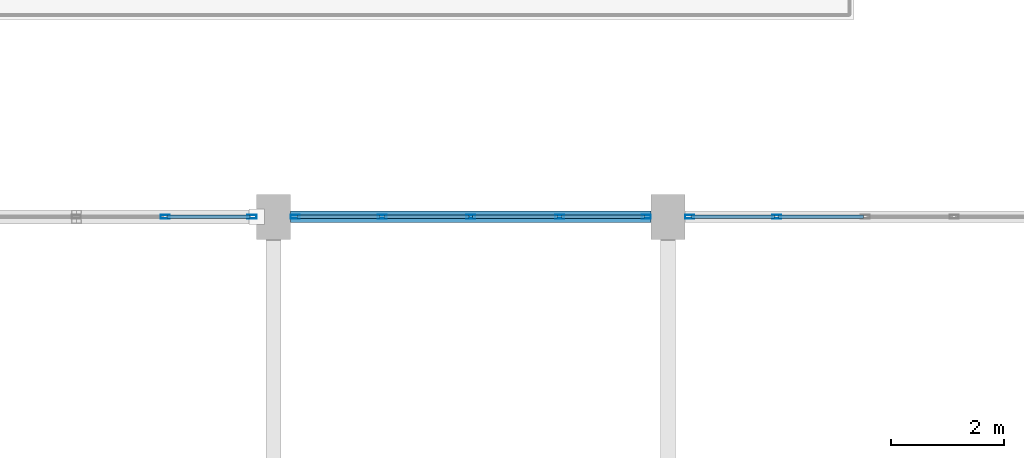
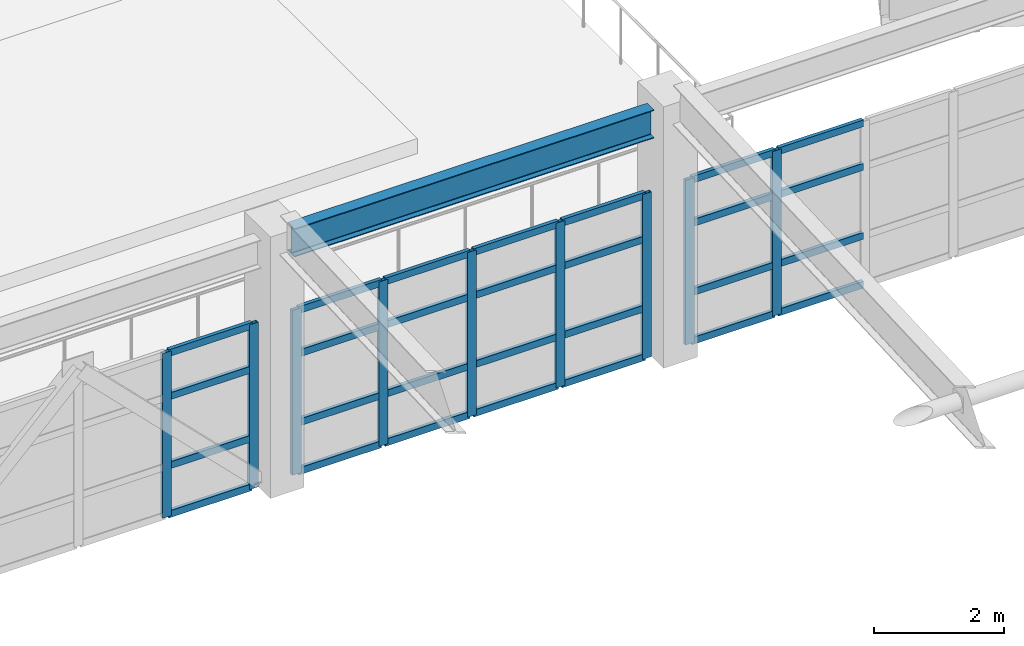
# One storey, part 16 of 150: 37 members, 1 beam, 3 elements without a shape of their own.
"""IFC4 building model written with IfcOpenShell, lengths in metres."""

from ifc_helpers import new_model, si_unit, direction, frame, origin, origin_2d, place, context, subcontext, project, spatial, hollow_rectangle, i_section, extrude, material, material_profile, profile_set, type_object, element, aggregate, save


model = new_model("IFC4")

# Units and contexts
model_context = context("Model", 3, precision=1e-05, world=origin(), true_north=direction((0.0, 1.0)))
body_context = subcontext(model_context, "Body", "Model", "MODEL_VIEW")
ifc_project = project(units=[si_unit("LENGTHUNIT", "METRE"), si_unit("AREAUNIT", "SQUARE_METRE"), si_unit("VOLUMEUNIT", "CUBIC_METRE"), si_unit("PLANEANGLEUNIT", "RADIAN"), si_unit("MASSUNIT", "GRAM", prefix="KILO")], contexts=[model_context])

# Site, building, storey
site_placement = place(None, origin())
site = spatial("IfcSite", under=ifc_project, at=site_placement, CompositionType="ELEMENT")
building_placement = place(site_placement, origin())
building = spatial("IfcBuilding", under=site, at=building_placement, Name="Kestramere Prow Commons", CompositionType="ELEMENT")
storey_placement = place(building_placement, frame((0.0, 0.0, 4.5)))
storey = spatial("IfcBuildingStorey", under=building, at=storey_placement, Name="L01", CompositionType="ELEMENT", Elevation=4.5)

# Beam
ifc_material_1 = material(Name="Steel S355JR", Category="steel")
ifc_material_profile_1 = material_profile(ifc_material_1, i_section(OverallWidth=0.209228515625, OverallDepth=0.533203125, WebThickness=0.010009765625, FlangeThickness=0.015625, FilletRadius=0.0126953125, at=origin_2d()), Name="UB 533x210x92")
ifc_profile_set_1 = profile_set([ifc_material_profile_1], Name="Steel S355JR")
beam_type = type_object("IfcBeamType", Name="BM-HL-GAL UB 533x210x92 (EX)", PredefinedType="BEAM", material=ifc_profile_set_1)
beam_placement = place(storey_placement, frame((37.5, 43.5, 4.418701171875), z_axis=(1.0, 0.0, 0.0), x_axis=(0.0, 1.0, 0.0)))
element("IfcBeam", 1, at=beam_placement, inside=storey, type_object=beam_type, Name="Hall Roof Eave Tie Girder 6N", PredefinedType="BEAM", context=body_context, shape_type="SweptSolid", body=[
    extrude(i_section(OverallWidth=0.209228515625, OverallDepth=0.533203125, WebThickness=0.010009765625, FlangeThickness=0.015625, FilletRadius=0.0126953125, at=origin_2d()), origin(), (0.0, 0.0, 1.0), 6.39990234375),
])

# Curtain wall, members
ifc_material_2 = material(Name="Anodised Aluminium and Low-E Glass", Category="aluminium")
curtain_wall_type = type_object("IfcCurtainWallType", Name="CW-12 Glazed Curtain Wall 6300x3100", PredefinedType="USERDEFINED", material=ifc_material_2)
curtain_wall_1_placement = place(storey_placement, origin())
curtain_wall_1 = element("IfcCurtainWall", 2, at=curtain_wall_1_placement, inside=storey, type_object=curtain_wall_type, Name="Hall North Clerestory Curtain Wall L01-5", ObjectType="GLAZED CURTAIN WALL", PredefinedType="USERDEFINED")
ifc_material_3 = material(Name="Anodised Aluminium 6063-T6", Category="aluminium")
ifc_material_profile_2 = material_profile(ifc_material_3, hollow_rectangle(XDim=0.06494140625, YDim=0.159912109375, WallThickness=0.00390625, at=origin_2d()), Name="ALU-MUL 65x160")
ifc_profile_set_2 = profile_set([ifc_material_profile_2], Name="Anodised Aluminium 6063-T6")
member_type_1 = type_object("IfcMemberType", Name="CW-MUL-65x160", PredefinedType="MULLION", material=ifc_profile_set_2)
member_1_placement = place(storey_placement, frame((35.27490234375, 43.5, 0.0), z_axis=(0.0, 0.0, 1.0), x_axis=(0.0, 1.0, 0.0)))
member_1 = element("IfcMember", 3, at=member_1_placement, type_object=member_type_1, Name="CW-12 mullion 4", PredefinedType="MULLION", context=body_context, shape_type="SweptSolid", body=[
    extrude(hollow_rectangle(XDim=0.06494140625, YDim=0.159912109375, WallThickness=0.00390625, at=origin_2d()), origin(), (0.0, 0.0, 1.0), 3.10009765625),
])
member_2_placement = place(storey_placement, frame((36.8173828125, 43.5, 0.0), z_axis=(0.0, 0.0, 1.0), x_axis=(0.0, 1.0, 0.0)))
member_2 = element("IfcMember", 4, at=member_2_placement, type_object=member_type_1, Name="CW-12 mullion 5", PredefinedType="MULLION", context=body_context, shape_type="SweptSolid", body=[
    extrude(hollow_rectangle(XDim=0.06494140625, YDim=0.159912109375, WallThickness=0.00390625, at=origin_2d()), origin(), (0.0, 0.0, 1.0), 3.10009765625),
])

curtain_wall_2_placement = place(storey_placement, origin())
curtain_wall_2 = element("IfcCurtainWall", 5, at=curtain_wall_2_placement, inside=storey, type_object=curtain_wall_type, Name="Hall North Clerestory Curtain Wall L01-6", ObjectType="GLAZED CURTAIN WALL", PredefinedType="USERDEFINED")
member_3_placement = place(storey_placement, frame((37.58251953125, 43.5, 0.0), z_axis=(0.0, 0.0, 1.0), x_axis=(0.0, 1.0, 0.0)))
member_3 = element("IfcMember", 6, at=member_3_placement, type_object=member_type_1, Name="CW-12 mullion 1", PredefinedType="MULLION", context=body_context, shape_type="SweptSolid", body=[
    extrude(hollow_rectangle(XDim=0.06494140625, YDim=0.159912109375, WallThickness=0.00390625, at=origin_2d()), origin(), (0.0, 0.0, 1.0), 3.10009765625),
])
member_4_placement = place(storey_placement, frame((39.125, 43.5, 0.0), z_axis=(0.0, 0.0, 1.0), x_axis=(0.0, 1.0, 0.0)))
member_4 = element("IfcMember", 7, at=member_4_placement, type_object=member_type_1, Name="CW-12 mullion 2", PredefinedType="MULLION", context=body_context, shape_type="SweptSolid", body=[
    extrude(hollow_rectangle(XDim=0.06494140625, YDim=0.159912109375, WallThickness=0.00390625, at=origin_2d()), origin(), (0.0, 0.0, 1.0), 3.10009765625),
])
member_5_placement = place(storey_placement, frame((40.699951171875, 43.5, 0.0), z_axis=(0.0, 0.0, 1.0), x_axis=(0.0, 1.0, 0.0)))
member_5 = element("IfcMember", 8, at=member_5_placement, type_object=member_type_1, Name="CW-12 mullion 3", PredefinedType="MULLION", context=body_context, shape_type="SweptSolid", body=[
    extrude(hollow_rectangle(XDim=0.06494140625, YDim=0.159912109375, WallThickness=0.00390625, at=origin_2d()), origin(), (0.0, 0.0, 1.0), 3.10009765625),
])
member_6_placement = place(storey_placement, frame((42.27490234375, 43.5, 0.0), z_axis=(0.0, 0.0, 1.0), x_axis=(0.0, 1.0, 0.0)))
member_6 = element("IfcMember", 9, at=member_6_placement, type_object=member_type_1, Name="CW-12 mullion 4", PredefinedType="MULLION", context=body_context, shape_type="SweptSolid", body=[
    extrude(hollow_rectangle(XDim=0.06494140625, YDim=0.159912109375, WallThickness=0.00390625, at=origin_2d()), origin(), (0.0, 0.0, 1.0), 3.10009765625),
])
member_7_placement = place(storey_placement, frame((43.8173828125, 43.5, 0.0), z_axis=(0.0, 0.0, 1.0), x_axis=(0.0, 1.0, 0.0)))
member_7 = element("IfcMember", 10, at=member_7_placement, type_object=member_type_1, Name="CW-12 mullion 5", PredefinedType="MULLION", context=body_context, shape_type="SweptSolid", body=[
    extrude(hollow_rectangle(XDim=0.06494140625, YDim=0.159912109375, WallThickness=0.00390625, at=origin_2d()), origin(), (0.0, 0.0, 1.0), 3.10009765625),
])

curtain_wall_3_placement = place(storey_placement, origin())
curtain_wall_3 = element("IfcCurtainWall", 11, at=curtain_wall_3_placement, inside=storey, type_object=curtain_wall_type, Name="Hall North Clerestory Curtain Wall L01-7", ObjectType="GLAZED CURTAIN WALL", PredefinedType="USERDEFINED")
member_8_placement = place(storey_placement, frame((44.58251953125, 43.5, 0.0), z_axis=(0.0, 0.0, 1.0), x_axis=(0.0, 1.0, 0.0)))
member_8 = element("IfcMember", 12, at=member_8_placement, type_object=member_type_1, Name="CW-12 mullion 1", PredefinedType="MULLION", context=body_context, shape_type="SweptSolid", body=[
    extrude(hollow_rectangle(XDim=0.06494140625, YDim=0.159912109375, WallThickness=0.00390625, at=origin_2d()), origin(), (0.0, 0.0, 1.0), 3.10009765625),
])
member_9_placement = place(storey_placement, frame((46.125, 43.5, 0.0), z_axis=(0.0, 0.0, 1.0), x_axis=(0.0, 1.0, 0.0)))
member_9 = element("IfcMember", 13, at=member_9_placement, type_object=member_type_1, Name="CW-12 mullion 2", PredefinedType="MULLION", context=body_context, shape_type="SweptSolid", body=[
    extrude(hollow_rectangle(XDim=0.06494140625, YDim=0.159912109375, WallThickness=0.00390625, at=origin_2d()), origin(), (0.0, 0.0, 1.0), 3.10009765625),
])

# Member
ifc_material_profile_3 = material_profile(ifc_material_3, hollow_rectangle(XDim=0.06494140625, YDim=0.1298828125, WallThickness=0.00390625, at=origin_2d()), Name="ALU-TRN 65x130")
ifc_profile_set_3 = profile_set([ifc_material_profile_3], Name="Anodised Aluminium 6063-T6")
member_type_2 = type_object("IfcMemberType", Name="CW-TRN-65x130", PredefinedType="USERDEFINED", material=ifc_profile_set_3)
member_10_placement = place(storey_placement, frame((35.3076171875, 43.5, 0.032470703125), z_axis=(1.0, 0.0, 0.0), x_axis=(0.0, 1.0, 0.0)))
member_10 = element("IfcMember", 14, at=member_10_placement, type_object=member_type_2, Name="CW-12 transom 4.1", ObjectType="TRANSOM", PredefinedType="USERDEFINED", context=body_context, shape_type="SweptSolid", body=[
    extrude(hollow_rectangle(XDim=0.06494140625, YDim=0.1298828125, WallThickness=0.00390625, at=origin_2d()), origin(), (0.0, 0.0, 1.0), 1.477294921875),
])

member_11_placement = place(storey_placement, frame((35.3076171875, 43.5, 0.949951171875), z_axis=(1.0, 0.0, 0.0), x_axis=(0.0, 1.0, 0.0)))
member_11 = element("IfcMember", 15, at=member_11_placement, type_object=member_type_2, Name="CW-12 transom 4.2", ObjectType="TRANSOM", PredefinedType="USERDEFINED", context=body_context, shape_type="SweptSolid", body=[
    extrude(hollow_rectangle(XDim=0.06494140625, YDim=0.1298828125, WallThickness=0.00390625, at=origin_2d()), origin(), (0.0, 0.0, 1.0), 1.477294921875),
])

member_12_placement = place(storey_placement, frame((35.3076171875, 43.5, 2.25), z_axis=(1.0, 0.0, 0.0), x_axis=(0.0, 1.0, 0.0)))
member_12 = element("IfcMember", 16, at=member_12_placement, type_object=member_type_2, Name="CW-12 transom 4.3", ObjectType="TRANSOM", PredefinedType="USERDEFINED", context=body_context, shape_type="SweptSolid", body=[
    extrude(hollow_rectangle(XDim=0.06494140625, YDim=0.1298828125, WallThickness=0.00390625, at=origin_2d()), origin(), (0.0, 0.0, 1.0), 1.477294921875),
])

member_13_placement = place(storey_placement, frame((35.3076171875, 43.5, 3.0673828125), z_axis=(1.0, 0.0, 0.0), x_axis=(0.0, 1.0, 0.0)))
member_13 = element("IfcMember", 17, at=member_13_placement, type_object=member_type_2, Name="CW-12 transom 4.4", ObjectType="TRANSOM", PredefinedType="USERDEFINED", context=body_context, shape_type="SweptSolid", body=[
    extrude(hollow_rectangle(XDim=0.06494140625, YDim=0.1298828125, WallThickness=0.00390625, at=origin_2d()), origin(), (0.0, 0.0, 1.0), 1.477294921875),
])

aggregate(curtain_wall_1, [member_1, member_2, member_10, member_11, member_12, member_13])

member_14_placement = place(storey_placement, frame((37.614990234375, 43.5, 0.032470703125), z_axis=(1.0, 0.0, 0.0), x_axis=(0.0, 1.0, 0.0)))
member_14 = element("IfcMember", 18, at=member_14_placement, type_object=member_type_2, Name="CW-12 transom 1.1", ObjectType="TRANSOM", PredefinedType="USERDEFINED", context=body_context, shape_type="SweptSolid", body=[
    extrude(hollow_rectangle(XDim=0.06494140625, YDim=0.1298828125, WallThickness=0.00390625, at=origin_2d()), origin(), (0.0, 0.0, 1.0), 1.4775390625),
])

member_15_placement = place(storey_placement, frame((37.614990234375, 43.5, 0.949951171875), z_axis=(1.0, 0.0, 0.0), x_axis=(0.0, 1.0, 0.0)))
member_15 = element("IfcMember", 19, at=member_15_placement, type_object=member_type_2, Name="CW-12 transom 1.2", ObjectType="TRANSOM", PredefinedType="USERDEFINED", context=body_context, shape_type="SweptSolid", body=[
    extrude(hollow_rectangle(XDim=0.06494140625, YDim=0.1298828125, WallThickness=0.00390625, at=origin_2d()), origin(), (0.0, 0.0, 1.0), 1.4775390625),
])

member_16_placement = place(storey_placement, frame((37.614990234375, 43.5, 2.25), z_axis=(1.0, 0.0, 0.0), x_axis=(0.0, 1.0, 0.0)))
member_16 = element("IfcMember", 20, at=member_16_placement, type_object=member_type_2, Name="CW-12 transom 1.3", ObjectType="TRANSOM", PredefinedType="USERDEFINED", context=body_context, shape_type="SweptSolid", body=[
    extrude(hollow_rectangle(XDim=0.06494140625, YDim=0.1298828125, WallThickness=0.00390625, at=origin_2d()), origin(), (0.0, 0.0, 1.0), 1.4775390625),
])

member_17_placement = place(storey_placement, frame((37.614990234375, 43.5, 3.0673828125), z_axis=(1.0, 0.0, 0.0), x_axis=(0.0, 1.0, 0.0)))
member_17 = element("IfcMember", 21, at=member_17_placement, type_object=member_type_2, Name="CW-12 transom 1.4", ObjectType="TRANSOM", PredefinedType="USERDEFINED", context=body_context, shape_type="SweptSolid", body=[
    extrude(hollow_rectangle(XDim=0.06494140625, YDim=0.1298828125, WallThickness=0.00390625, at=origin_2d()), origin(), (0.0, 0.0, 1.0), 1.4775390625),
])

member_18_placement = place(storey_placement, frame((39.157470703125, 43.5, 0.032470703125), z_axis=(1.0, 0.0, 0.0), x_axis=(0.0, 1.0, 0.0)))
member_18 = element("IfcMember", 22, at=member_18_placement, type_object=member_type_2, Name="CW-12 transom 2.1", ObjectType="TRANSOM", PredefinedType="USERDEFINED", context=body_context, shape_type="SweptSolid", body=[
    extrude(hollow_rectangle(XDim=0.06494140625, YDim=0.1298828125, WallThickness=0.00390625, at=origin_2d()), origin(), (0.0, 0.0, 1.0), 1.510009765625),
])

member_19_placement = place(storey_placement, frame((39.157470703125, 43.5, 0.949951171875), z_axis=(1.0, 0.0, 0.0), x_axis=(0.0, 1.0, 0.0)))
member_19 = element("IfcMember", 23, at=member_19_placement, type_object=member_type_2, Name="CW-12 transom 2.2", ObjectType="TRANSOM", PredefinedType="USERDEFINED", context=body_context, shape_type="SweptSolid", body=[
    extrude(hollow_rectangle(XDim=0.06494140625, YDim=0.1298828125, WallThickness=0.00390625, at=origin_2d()), origin(), (0.0, 0.0, 1.0), 1.510009765625),
])

member_20_placement = place(storey_placement, frame((39.157470703125, 43.5, 2.25), z_axis=(1.0, 0.0, 0.0), x_axis=(0.0, 1.0, 0.0)))
member_20 = element("IfcMember", 24, at=member_20_placement, type_object=member_type_2, Name="CW-12 transom 2.3", ObjectType="TRANSOM", PredefinedType="USERDEFINED", context=body_context, shape_type="SweptSolid", body=[
    extrude(hollow_rectangle(XDim=0.06494140625, YDim=0.1298828125, WallThickness=0.00390625, at=origin_2d()), origin(), (0.0, 0.0, 1.0), 1.510009765625),
])

member_21_placement = place(storey_placement, frame((39.157470703125, 43.5, 3.0673828125), z_axis=(1.0, 0.0, 0.0), x_axis=(0.0, 1.0, 0.0)))
member_21 = element("IfcMember", 25, at=member_21_placement, type_object=member_type_2, Name="CW-12 transom 2.4", ObjectType="TRANSOM", PredefinedType="USERDEFINED", context=body_context, shape_type="SweptSolid", body=[
    extrude(hollow_rectangle(XDim=0.06494140625, YDim=0.1298828125, WallThickness=0.00390625, at=origin_2d()), origin(), (0.0, 0.0, 1.0), 1.510009765625),
])

member_22_placement = place(storey_placement, frame((40.732421875, 43.5, 0.032470703125), z_axis=(1.0, 0.0, 0.0), x_axis=(0.0, 1.0, 0.0)))
member_22 = element("IfcMember", 26, at=member_22_placement, type_object=member_type_2, Name="CW-12 transom 3.1", ObjectType="TRANSOM", PredefinedType="USERDEFINED", context=body_context, shape_type="SweptSolid", body=[
    extrude(hollow_rectangle(XDim=0.06494140625, YDim=0.1298828125, WallThickness=0.00390625, at=origin_2d()), origin(), (0.0, 0.0, 1.0), 1.510009765625),
])

member_23_placement = place(storey_placement, frame((40.732421875, 43.5, 0.949951171875), z_axis=(1.0, 0.0, 0.0), x_axis=(0.0, 1.0, 0.0)))
member_23 = element("IfcMember", 27, at=member_23_placement, type_object=member_type_2, Name="CW-12 transom 3.2", ObjectType="TRANSOM", PredefinedType="USERDEFINED", context=body_context, shape_type="SweptSolid", body=[
    extrude(hollow_rectangle(XDim=0.06494140625, YDim=0.1298828125, WallThickness=0.00390625, at=origin_2d()), origin(), (0.0, 0.0, 1.0), 1.510009765625),
])

member_24_placement = place(storey_placement, frame((40.732421875, 43.5, 2.25), z_axis=(1.0, 0.0, 0.0), x_axis=(0.0, 1.0, 0.0)))
member_24 = element("IfcMember", 28, at=member_24_placement, type_object=member_type_2, Name="CW-12 transom 3.3", ObjectType="TRANSOM", PredefinedType="USERDEFINED", context=body_context, shape_type="SweptSolid", body=[
    extrude(hollow_rectangle(XDim=0.06494140625, YDim=0.1298828125, WallThickness=0.00390625, at=origin_2d()), origin(), (0.0, 0.0, 1.0), 1.510009765625),
])

member_25_placement = place(storey_placement, frame((40.732421875, 43.5, 3.0673828125), z_axis=(1.0, 0.0, 0.0), x_axis=(0.0, 1.0, 0.0)))
member_25 = element("IfcMember", 29, at=member_25_placement, type_object=member_type_2, Name="CW-12 transom 3.4", ObjectType="TRANSOM", PredefinedType="USERDEFINED", context=body_context, shape_type="SweptSolid", body=[
    extrude(hollow_rectangle(XDim=0.06494140625, YDim=0.1298828125, WallThickness=0.00390625, at=origin_2d()), origin(), (0.0, 0.0, 1.0), 1.510009765625),
])

member_26_placement = place(storey_placement, frame((42.3076171875, 43.5, 0.032470703125), z_axis=(1.0, 0.0, 0.0), x_axis=(0.0, 1.0, 0.0)))
member_26 = element("IfcMember", 30, at=member_26_placement, type_object=member_type_2, Name="CW-12 transom 4.1", ObjectType="TRANSOM", PredefinedType="USERDEFINED", context=body_context, shape_type="SweptSolid", body=[
    extrude(hollow_rectangle(XDim=0.06494140625, YDim=0.1298828125, WallThickness=0.00390625, at=origin_2d()), origin(), (0.0, 0.0, 1.0), 1.477294921875),
])

member_27_placement = place(storey_placement, frame((42.3076171875, 43.5, 0.949951171875), z_axis=(1.0, 0.0, 0.0), x_axis=(0.0, 1.0, 0.0)))
member_27 = element("IfcMember", 31, at=member_27_placement, type_object=member_type_2, Name="CW-12 transom 4.2", ObjectType="TRANSOM", PredefinedType="USERDEFINED", context=body_context, shape_type="SweptSolid", body=[
    extrude(hollow_rectangle(XDim=0.06494140625, YDim=0.1298828125, WallThickness=0.00390625, at=origin_2d()), origin(), (0.0, 0.0, 1.0), 1.477294921875),
])

member_28_placement = place(storey_placement, frame((42.3076171875, 43.5, 2.25), z_axis=(1.0, 0.0, 0.0), x_axis=(0.0, 1.0, 0.0)))
member_28 = element("IfcMember", 32, at=member_28_placement, type_object=member_type_2, Name="CW-12 transom 4.3", ObjectType="TRANSOM", PredefinedType="USERDEFINED", context=body_context, shape_type="SweptSolid", body=[
    extrude(hollow_rectangle(XDim=0.06494140625, YDim=0.1298828125, WallThickness=0.00390625, at=origin_2d()), origin(), (0.0, 0.0, 1.0), 1.477294921875),
])

member_29_placement = place(storey_placement, frame((42.3076171875, 43.5, 3.0673828125), z_axis=(1.0, 0.0, 0.0), x_axis=(0.0, 1.0, 0.0)))
member_29 = element("IfcMember", 33, at=member_29_placement, type_object=member_type_2, Name="CW-12 transom 4.4", ObjectType="TRANSOM", PredefinedType="USERDEFINED", context=body_context, shape_type="SweptSolid", body=[
    extrude(hollow_rectangle(XDim=0.06494140625, YDim=0.1298828125, WallThickness=0.00390625, at=origin_2d()), origin(), (0.0, 0.0, 1.0), 1.477294921875),
])

aggregate(curtain_wall_2, [member_3, member_4, member_5, member_6, member_7, member_14, member_15, member_16, member_17, member_18, member_19, member_20, member_21, member_22, member_23, member_24, member_25, member_26, member_27, member_28, member_29])

member_30_placement = place(storey_placement, frame((44.614990234375, 43.5, 0.032470703125), z_axis=(1.0, 0.0, 0.0), x_axis=(0.0, 1.0, 0.0)))
member_30 = element("IfcMember", 34, at=member_30_placement, type_object=member_type_2, Name="CW-12 transom 1.1", ObjectType="TRANSOM", PredefinedType="USERDEFINED", context=body_context, shape_type="SweptSolid", body=[
    extrude(hollow_rectangle(XDim=0.06494140625, YDim=0.1298828125, WallThickness=0.00390625, at=origin_2d()), origin(), (0.0, 0.0, 1.0), 1.4775390625),
])

member_31_placement = place(storey_placement, frame((44.614990234375, 43.5, 0.949951171875), z_axis=(1.0, 0.0, 0.0), x_axis=(0.0, 1.0, 0.0)))
member_31 = element("IfcMember", 35, at=member_31_placement, type_object=member_type_2, Name="CW-12 transom 1.2", ObjectType="TRANSOM", PredefinedType="USERDEFINED", context=body_context, shape_type="SweptSolid", body=[
    extrude(hollow_rectangle(XDim=0.06494140625, YDim=0.1298828125, WallThickness=0.00390625, at=origin_2d()), origin(), (0.0, 0.0, 1.0), 1.4775390625),
])

member_32_placement = place(storey_placement, frame((44.614990234375, 43.5, 2.25), z_axis=(1.0, 0.0, 0.0), x_axis=(0.0, 1.0, 0.0)))
member_32 = element("IfcMember", 36, at=member_32_placement, type_object=member_type_2, Name="CW-12 transom 1.3", ObjectType="TRANSOM", PredefinedType="USERDEFINED", context=body_context, shape_type="SweptSolid", body=[
    extrude(hollow_rectangle(XDim=0.06494140625, YDim=0.1298828125, WallThickness=0.00390625, at=origin_2d()), origin(), (0.0, 0.0, 1.0), 1.4775390625),
])

member_33_placement = place(storey_placement, frame((44.614990234375, 43.5, 3.0673828125), z_axis=(1.0, 0.0, 0.0), x_axis=(0.0, 1.0, 0.0)))
member_33 = element("IfcMember", 37, at=member_33_placement, type_object=member_type_2, Name="CW-12 transom 1.4", ObjectType="TRANSOM", PredefinedType="USERDEFINED", context=body_context, shape_type="SweptSolid", body=[
    extrude(hollow_rectangle(XDim=0.06494140625, YDim=0.1298828125, WallThickness=0.00390625, at=origin_2d()), origin(), (0.0, 0.0, 1.0), 1.4775390625),
])

member_34_placement = place(storey_placement, frame((46.157470703125, 43.5, 0.032470703125), z_axis=(1.0, 0.0, 0.0), x_axis=(0.0, 1.0, 0.0)))
member_34 = element("IfcMember", 38, at=member_34_placement, type_object=member_type_2, Name="CW-12 transom 2.1", ObjectType="TRANSOM", PredefinedType="USERDEFINED", context=body_context, shape_type="SweptSolid", body=[
    extrude(hollow_rectangle(XDim=0.06494140625, YDim=0.1298828125, WallThickness=0.00390625, at=origin_2d()), origin(), (0.0, 0.0, 1.0), 1.510009765625),
])

member_35_placement = place(storey_placement, frame((46.157470703125, 43.5, 0.949951171875), z_axis=(1.0, 0.0, 0.0), x_axis=(0.0, 1.0, 0.0)))
member_35 = element("IfcMember", 39, at=member_35_placement, type_object=member_type_2, Name="CW-12 transom 2.2", ObjectType="TRANSOM", PredefinedType="USERDEFINED", context=body_context, shape_type="SweptSolid", body=[
    extrude(hollow_rectangle(XDim=0.06494140625, YDim=0.1298828125, WallThickness=0.00390625, at=origin_2d()), origin(), (0.0, 0.0, 1.0), 1.510009765625),
])

member_36_placement = place(storey_placement, frame((46.157470703125, 43.5, 2.25), z_axis=(1.0, 0.0, 0.0), x_axis=(0.0, 1.0, 0.0)))
member_36 = element("IfcMember", 40, at=member_36_placement, type_object=member_type_2, Name="CW-12 transom 2.3", ObjectType="TRANSOM", PredefinedType="USERDEFINED", context=body_context, shape_type="SweptSolid", body=[
    extrude(hollow_rectangle(XDim=0.06494140625, YDim=0.1298828125, WallThickness=0.00390625, at=origin_2d()), origin(), (0.0, 0.0, 1.0), 1.510009765625),
])

member_37_placement = place(storey_placement, frame((46.157470703125, 43.5, 3.0673828125), z_axis=(1.0, 0.0, 0.0), x_axis=(0.0, 1.0, 0.0)))
member_37 = element("IfcMember", 41, at=member_37_placement, type_object=member_type_2, Name="CW-12 transom 2.4", ObjectType="TRANSOM", PredefinedType="USERDEFINED", context=body_context, shape_type="SweptSolid", body=[
    extrude(hollow_rectangle(XDim=0.06494140625, YDim=0.1298828125, WallThickness=0.00390625, at=origin_2d()), origin(), (0.0, 0.0, 1.0), 1.510009765625),
])

aggregate(curtain_wall_3, [member_8, member_9, member_30, member_31, member_32, member_33, member_34, member_35, member_36, member_37])

save(model, "model.ifc")
